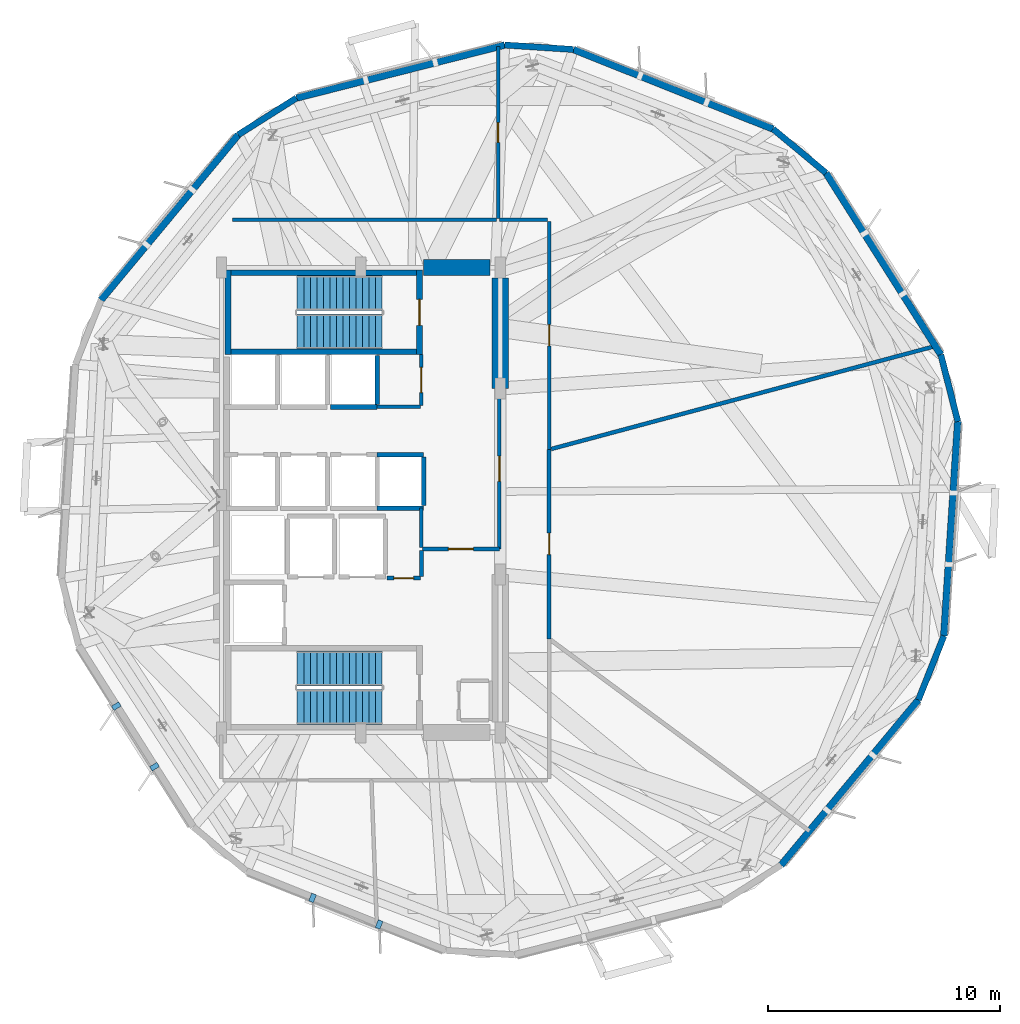
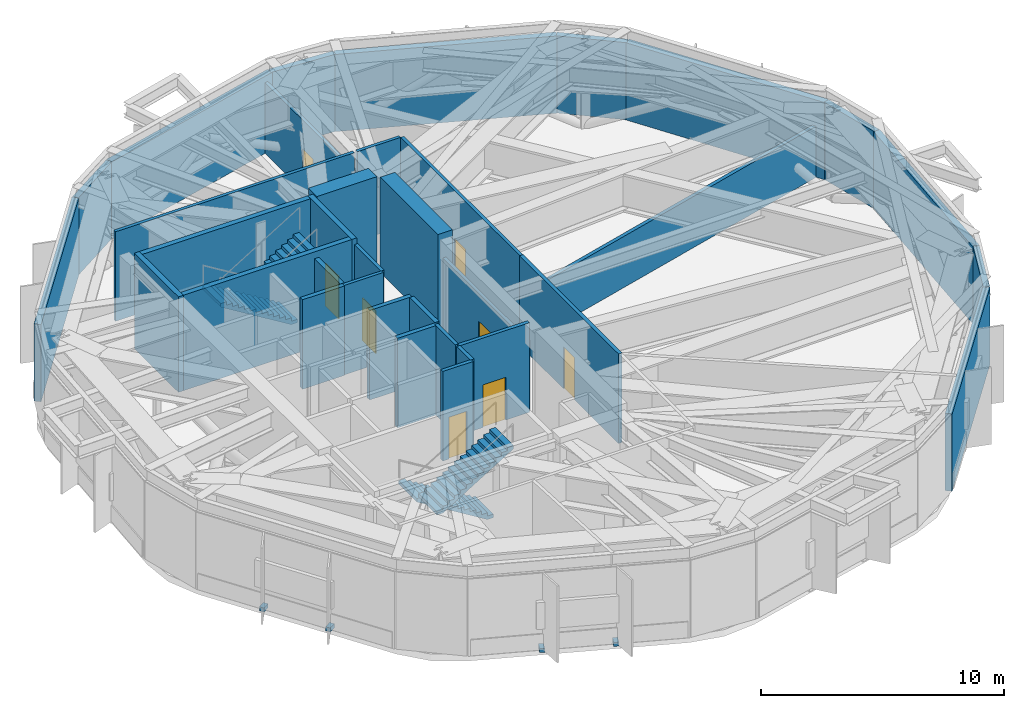
# One storey, part 9 of 13: 35 walls, 8 doors, 4 discrete accessories, 4 stair flights, 8 openings, 2 elements without a shape of their own.
"""IFC4 building model written with IfcOpenShell, lengths in metres."""

from ifc_helpers import new_model, si_unit, direction, frame, frame_2d, origin, origin_2d, place, context, subcontext, project, spatial, polyline, rectangle, outline, extrude, material, layer, layer_set, type_object, element, fill, aggregate, save


model = new_model("IFC4")

# Units and contexts
model_context = context("Model", 3, precision=1e-05, world=origin(), true_north=direction((0.0, 1.0)))
body_context = subcontext(model_context, "Body", "Model", "MODEL_VIEW")
ifc_project = project(units=[si_unit("LENGTHUNIT", "METRE"), si_unit("AREAUNIT", "SQUARE_METRE"), si_unit("VOLUMEUNIT", "CUBIC_METRE"), si_unit("PLANEANGLEUNIT", "RADIAN"), si_unit("MASSUNIT", "GRAM", prefix="KILO")], contexts=[model_context])

# Site, building, storey
site_placement = place(None, origin())
site = spatial("IfcSite", under=ifc_project, at=site_placement, CompositionType="ELEMENT")
building_placement = place(site_placement, origin())
building = spatial("IfcBuilding", under=site, at=building_placement, Name="Soratama Intermodal Tower", CompositionType="ELEMENT")
storey_placement = place(building_placement, frame((0.0, 0.0, 82.60009765625)))
storey = spatial("IfcBuildingStorey", under=building, at=storey_placement, Name="L19", CompositionType="ELEMENT", Elevation=82.60009765625)

# Walls
ifc_material_1 = material(Name="Concrete f'c 42 MPa", Category="concrete")
ifc_layer_1 = layer(ifc_material_1, 0.27001953125)
ifc_layer_set_1 = layer_set([ifc_layer_1], Name="Concrete f'c 42 MPa")
wall_type_1 = type_object("IfcWallType", Name="EW-CRN-270", PredefinedType="SOLIDWALL", material=ifc_layer_set_1)
wall_1_placement = place(storey_placement, frame((58.617431640625, 39.0693359375, 0.0), z_axis=(0.0, 0.0, 1.0), x_axis=(-0.769198462911, 0.639009956617, 0.0)))
element("IfcWall", 1, at=wall_1_placement, inside=storey, type_object=wall_type_1, Name="L19 Corner Closure Wall 01", PredefinedType="SOLIDWALL", context=body_context, shape_type="SweptSolid", body=[
    extrude(rectangle(XDim=2.966796875, YDim=0.27001953125, at=frame_2d((1.4833984375, 0.0))), origin(), (0.0, 0.0, 1.0), 3.87890625),
])
for number, where, z_axis, x_axis, name in (
    (2, (47.746826171875, 44.386474609375, 0.0), (0.0, 0.0, 1.0), (-0.997889506798, 0.064934830587, 0.0), "L19 Corner Closure Wall 02"),
    (3, (35.8271484375, 42.298583984375, 0.0), (0.0, 0.0, 1.0), (-0.845459567391, -0.534039436659, 0.0), "L19 Corner Closure Wall 03"),
    (4, (62.5888671875, 16.396728515625, 0.0), (0.0, 0.0, 1.0), (0.369999752754, 0.929031852501, 0.0), "L19 Corner Closure Wall 09"),
    (5, (64.28662109375, 28.37841796875, 0.0), (0.0, 0.0, 1.0), (-0.246735492597, 0.969082863687, 0.0), "L19 Corner Closure Wall 10"),
):
    element("IfcWall", number, at=place(storey_placement, frame(where, z_axis=z_axis, x_axis=x_axis)), inside=storey, type_object=wall_type_1, Name=name, PredefinedType="SOLIDWALL", context=body_context, shape_type="SweptSolid", body=[
        extrude(rectangle(XDim=2.966552734375, YDim=0.27001953125, at=frame_2d((1.4833984375, 0.0))), origin(), (0.0, 0.0, 1.0), 3.87890625),
    ])
ifc_material_2 = material(Name="Concrete f'c 42 MPa", Category="concrete")
ifc_layer_2 = layer(ifc_material_2, 0.300048828125)
ifc_layer_set_2 = layer_set([ifc_layer_2], Name="Concrete f'c 42 MPa")
wall_type_2 = type_object("IfcWallType", Name="EW-STONE-300", PredefinedType="SOLIDWALL", material=ifc_layer_set_2)
wall_2_placement = place(storey_placement, frame((63.5546875, 31.253173828125, 0.0), z_axis=(0.0, 0.0, 1.0), x_axis=(-0.534049623652, 0.845453132632, 0.0)))
element("IfcWall", 6, at=wall_2_placement, inside=storey, type_object=wall_type_2, Name="L19 Plant Wall F01", PredefinedType="SOLIDWALL", context=body_context, shape_type="SweptSolid", body=[
    extrude(rectangle(XDim=9.244873046875, YDim=0.300048828125, at=frame_2d((4.62255859375, 0.0))), origin(), (0.0, 0.0, 1.0), 3.87890625),
])
for number, where, z_axis, x_axis, name in (
    (7, (56.33544921875, 40.965087890625, 0.0), (0.0, 0.0, 1.0), (-0.929000278628, 0.370079021709, 0.0), "L19 Plant Wall F02"),
    (8, (44.78662109375, 44.5791015625, 0.0), (0.0, 0.0, 1.0), (-0.969099125139, -0.246671615018, 0.0), "L19 Plant Wall F03"),
    (9, (33.319091796875, 40.71435546875, 0.0), (0.0, 0.0, 1.0), (-0.639038202988, -0.769174996423, 0.0), "L19 Plant Wall F04"),
    (10, (56.680908203125, 9.28564453125, 0.0), (0.0, 0.0, 1.0), (0.639038202988, 0.769174996423, 0.0), "L19 Plant Wall F09"),
    (11, (63.6865234375, 19.15283203125, 0.0), (0.0, 0.0, 1.0), (0.064909928811, 0.997891126898, 0.0), "L19 Plant Wall F10"),
):
    element("IfcWall", number, at=place(storey_placement, frame(where, z_axis=z_axis, x_axis=x_axis)), inside=storey, type_object=wall_type_2, Name=name, PredefinedType="SOLIDWALL", context=body_context, shape_type="SweptSolid", body=[
        extrude(rectangle(XDim=9.2451171875, YDim=0.300048828125, at=frame_2d((4.62255859375, 0.0))), origin(), (0.0, 0.0, 1.0), 3.87890625),
    ])

# Wall, opening, door
ifc_material_3 = material(Name="Fire-rated gypsum stud partition", Category="concrete")
ifc_layer_3 = layer(ifc_material_3, 0.14990234375)
ifc_layer_set_3 = layer_set([ifc_layer_3], Name="Fire-rated gypsum stud partition")
wall_type_3 = type_object("IfcWallType", Name="IW-PART-R150", PredefinedType="PARTITIONING", material=ifc_layer_set_3)
wall_3_placement = place(storey_placement, frame((46.699951171875, 36.97998046875, 0.0), z_axis=(0.0, 0.0, 1.0), x_axis=(0.0, -1.0, 0.0)))
wall_3 = element("IfcWall", 12, at=wall_3_placement, inside=storey, type_object=wall_type_3, Name="L19 Partition W-L19-TP003", PredefinedType="PARTITIONING", context=body_context, shape_type="SweptSolid", body=[
    extrude(rectangle(XDim=9.81005859375, YDim=0.14990234375, at=frame_2d((4.905029296875, 0.0))), origin(), (0.0, 0.0, 1.0), 4.5),
])
opening_1_placement = place(wall_3_placement, frame((4.429931640625, 0.0, 0.0)))
opening_1 = element("IfcOpeningElement", 13, at=opening_1_placement, cuts=wall_3, Name="Opening ID-6", PredefinedType="OPENING", context=body_context, shape_type="SweptSolid", body=[
    extrude(rectangle(XDim=0.919921875, YDim=2.1201171875, at=frame_2d((0.4599609375, 1.06005859375))), frame((0.0, 0.0849609375, 0.0), z_axis=(0.0, -1.0, 0.0), x_axis=(1.0, 0.0, 0.0)), (0.0, 0.0, 1.0), 0.169921875),
])
ifc_material_4 = material(Name="Solid hardwood acoustic door", Category="wood")
door_type_1 = type_object("IfcDoorType", Name="DR-ROOM-920", OperationType="NOTDEFINED", PredefinedType="DOOR", material=ifc_material_4)
door_1_placement = place(opening_1_placement, origin())
door_1 = element("IfcDoor", 14, at=door_1_placement, inside=storey, type_object=door_type_1, Name="L19 Door D-L19-TP001", OperationType="SINGLE_SWING_RIGHT", OverallHeight=2.1201171875, OverallWidth=0.919921875, PredefinedType="DOOR", context=body_context, shape_type="SweptSolid", body=[
    extrude(rectangle(XDim=0.919921875, YDim=2.1201171875, at=frame_2d((0.4599609375, 1.06005859375))), frame((0.0, 0.02490234375, 0.0), z_axis=(0.0, -1.0, 0.0), x_axis=(1.0, 0.0, 0.0)), (0.0, 0.0, 1.0), 0.050048828125),
])
fill(opening_1, door_1)

wall_4_placement = place(storey_placement, frame((44.5, 44.506103515625, 0.0), z_axis=(0.0, 0.0, 1.0), x_axis=(0.0, -1.0, 0.0)))
wall_4 = element("IfcWall", 15, at=wall_4_placement, inside=storey, type_object=wall_type_3, Name="L19 Partition W-L19-TP006", PredefinedType="PARTITIONING", context=body_context, shape_type="SweptSolid", body=[
    extrude(rectangle(XDim=7.385986328125, YDim=0.14990234375, at=frame_2d((3.69287109375, 0.0))), origin(), (0.0, 0.0, 1.0), 3.55078125),
])
opening_2_placement = place(wall_4_placement, frame((3.26806640625, 0.0, 0.0)))
opening_2 = element("IfcOpeningElement", 16, at=opening_2_placement, cuts=wall_4, Name="Opening ID-4", PredefinedType="OPENING", context=body_context, shape_type="SweptSolid", body=[
    extrude(rectangle(XDim=0.85009765625, YDim=2.10009765625, at=frame_2d((0.425048828125, 1.050048828125))), frame((0.0, 0.0849609375, 0.0), z_axis=(0.0, -1.0, 0.0), x_axis=(1.0, 0.0, 0.0)), (0.0, 0.0, 1.0), 0.169921875),
])
ifc_material_5 = material(Name="Solid hardwood acoustic door", Category="wood")
door_type_2 = type_object("IfcDoorType", Name="DR-BATH-850", OperationType="NOTDEFINED", PredefinedType="DOOR", material=ifc_material_5)
door_2_placement = place(opening_2_placement, origin())
door_2 = element("IfcDoor", 17, at=door_2_placement, inside=storey, type_object=door_type_2, Name="L19 Door D-L19-TP009", OperationType="SINGLE_SWING_LEFT", OverallHeight=2.10009765625, OverallWidth=0.85009765625, PredefinedType="DOOR", context=body_context, shape_type="SweptSolid", body=[
    extrude(rectangle(XDim=0.85009765625, YDim=2.10009765625, at=frame_2d((0.425048828125, 1.050048828125))), frame((0.0, 0.02490234375, 0.0), z_axis=(0.0, -1.0, 0.0), x_axis=(1.0, 0.0, 0.0)), (0.0, 0.0, 1.0), 0.050048828125),
])
fill(opening_2, door_2)

wall_5_placement = place(storey_placement, frame((44.56005859375, 29.800048828125, 0.0), z_axis=(0.0, 0.0, 1.0), x_axis=(0.0, -1.0, 0.0)))
wall_5 = element("IfcWall", 18, at=wall_5_placement, inside=storey, type_object=wall_type_3, Name="L19 Partition W-L19-TP007", PredefinedType="PARTITIONING", context=body_context, shape_type="SweptSolid", body=[
    extrude(rectangle(XDim=6.91015625, YDim=0.14990234375, at=frame_2d((3.455078125, 0.0))), origin(), (0.0, 0.0, 1.0), 3.539794921875),
])
opening_3_placement = place(wall_5_placement, frame((2.9150390625, 0.0, 0.0)))
opening_3 = element("IfcOpeningElement", 19, at=opening_3_placement, cuts=wall_5, Name="Opening ID-1", PredefinedType="OPENING", context=body_context, shape_type="SweptSolid", body=[
    extrude(rectangle(XDim=1.080078125, YDim=2.14990234375, at=frame_2d((0.5400390625, 1.074951171875))), frame((0.0, 0.0849609375, 0.0), z_axis=(0.0, -1.0, 0.0), x_axis=(1.0, 0.0, 0.0)), (0.0, 0.0, 1.0), 0.169921875),
])
ifc_material_6 = material(Name="Solid hardwood acoustic door", Category="wood")
door_type_3 = type_object("IfcDoorType", Name="DR-LOB-FD60", OperationType="NOTDEFINED", PredefinedType="DOOR", material=ifc_material_6)
door_3_placement = place(opening_3_placement, origin())
door_3 = element("IfcDoor", 20, at=door_3_placement, inside=storey, type_object=door_type_3, Name="L19 Door D-L19-TP004", OperationType="SINGLE_SWING_LEFT", OverallHeight=2.14990234375, OverallWidth=1.080078125, PredefinedType="DOOR", context=body_context, shape_type="SweptSolid", body=[
    extrude(rectangle(XDim=1.080078125, YDim=2.14990234375, at=frame_2d((0.5400390625, 1.074951171875))), frame((0.0, 0.02490234375, 0.0), z_axis=(0.0, -1.0, 0.0), x_axis=(1.0, 0.0, 0.0)), (0.0, 0.0, 1.0), 0.050048828125),
])
fill(opening_3, door_3)

wall_6_placement = place(storey_placement, frame((41.199951171875, 29.070068359375, 0.0), z_axis=(0.0, 0.0, 1.0), x_axis=(0.0, 1.0, 0.0)))
wall_6 = element("IfcWall", 21, at=wall_6_placement, inside=storey, type_object=wall_type_3, Name="L19 Partition W-L19-TP012", PredefinedType="PARTITIONING", context=body_context, shape_type="SweptSolid", body=[
    extrude(rectangle(XDim=2.18994140625, YDim=0.14990234375, at=frame_2d((1.094970703125, 0.0))), origin(), (0.0, 0.0, 1.0), 4.5),
])
opening_4_placement = place(wall_6_placement, frame((0.554931640625, 0.0, 0.0)))
opening_4 = element("IfcOpeningElement", 22, at=opening_4_placement, cuts=wall_6, Name="Opening ID-1", PredefinedType="OPENING", context=body_context, shape_type="SweptSolid", body=[
    extrude(rectangle(XDim=1.080078125, YDim=2.14990234375, at=frame_2d((0.5400390625, 1.074951171875))), frame((0.0, 0.0849609375, 0.0), z_axis=(0.0, -1.0, 0.0), x_axis=(1.0, 0.0, 0.0)), (0.0, 0.0, 1.0), 0.169921875),
])
door_4_placement = place(opening_4_placement, origin())
door_4 = element("IfcDoor", 23, at=door_4_placement, inside=storey, type_object=door_type_3, Name="L19 Door D-L19-TP007", OperationType="SINGLE_SWING_RIGHT", OverallHeight=2.14990234375, OverallWidth=1.080078125, PredefinedType="DOOR", context=body_context, shape_type="SweptSolid", body=[
    extrude(rectangle(XDim=1.080078125, YDim=2.14990234375, at=frame_2d((0.5400390625, 1.074951171875))), frame((0.0, 0.02490234375, 0.0), z_axis=(0.0, -1.0, 0.0), x_axis=(1.0, 0.0, 0.0)), (0.0, 0.0, 1.0), 0.050048828125),
])
fill(opening_4, door_4)

# Walls
wall_7_placement = place(storey_placement, frame((44.570068359375, 37.050048828125, 0.0), z_axis=(0.0, 0.0, 1.0), x_axis=(1.0, 0.0, 0.0)))
element("IfcWall", 24, at=wall_7_placement, inside=storey, type_object=wall_type_3, Name="L19 Partition W-L19-TP013", PredefinedType="PARTITIONING", context=body_context, shape_type="SweptSolid", body=[
    extrude(rectangle(XDim=2.059814453125, YDim=0.14990234375, at=frame_2d((1.02978515625, 0.0))), origin(), (0.0, 0.0, 1.0), 4.5),
])
wall_8_placement = place(storey_placement, frame((39.300048828125, 29.010009765625, 0.0), z_axis=(0.0, 0.0, 1.0), x_axis=(1.0, 0.0, 0.0)))
element("IfcWall", 25, at=wall_8_placement, inside=storey, type_object=wall_type_3, Name="L19 Partition W-L19-TP015", PredefinedType="PARTITIONING", context=body_context, shape_type="SweptSolid", body=[
    extrude(rectangle(XDim=1.85986328125, YDim=0.14990234375, at=frame_2d((0.929931640625, 0.0))), origin(), (0.0, 0.0, 1.0), 4.5),
])
wall_9_placement = place(storey_placement, frame((41.199951171875, 22.9599609375, 0.0), z_axis=(0.0, 0.0, 1.0), x_axis=(0.0, 1.0, 0.0)))
element("IfcWall", 26, at=wall_9_placement, inside=storey, type_object=wall_type_3, Name="L19 Partition W-L19-TP016", PredefinedType="PARTITIONING", context=body_context, shape_type="SweptSolid", body=[
    extrude(rectangle(XDim=1.68994140625, YDim=0.14990234375, at=frame_2d((0.844970703125, 0.0))), origin(), (0.0, 0.0, 1.0), 4.5),
])
wall_10_placement = place(storey_placement, frame((33.070068359375, 37.050048828125, 0.0), z_axis=(0.0, 0.0, 1.0), x_axis=(1.0, 0.0, 0.0)))
element("IfcWall", 27, at=wall_10_placement, inside=storey, type_object=wall_type_3, Name="L19 Partition W-L19-TP019", PredefinedType="PARTITIONING", context=body_context, shape_type="SweptSolid", body=[
    extrude(rectangle(XDim=11.35986328125, YDim=0.14990234375, at=frame_2d((5.679931640625, 0.0))), origin(), (0.0, 0.0, 1.0), 4.5),
])
ifc_material_7 = material(Name="Fire-rated gypsum stud partition", Category="concrete")
ifc_layer_4 = layer(ifc_material_7, 0.169921875)
ifc_layer_set_4 = layer_set([ifc_layer_4], Name="Fire-rated gypsum stud partition")
wall_type_4 = type_object("IfcWallType", Name="IW-PART-R170", PredefinedType="PARTITIONING", material=ifc_layer_set_4)
wall_11_placement = place(storey_placement, frame((63.321044921875, 31.6240234375, 0.0), z_axis=(0.0, 0.0, 1.0), x_axis=(-0.965926722625, -0.258815699907, 0.0)))
element("IfcWall", 28, at=wall_11_placement, inside=storey, type_object=wall_type_4, Name="L19 Partition W-L19-TP001", PredefinedType="PARTITIONING", context=body_context, shape_type="SweptSolid", body=[
    extrude(rectangle(XDim=17.1162109375, YDim=0.169921875, at=frame_2d((8.55810546875, 0.0))), origin(), (0.0, 0.0, 1.0), 2.56982421875),
])

# Wall, opening, door
wall_12_placement = place(storey_placement, frame((46.699951171875, 27.169921875, 0.0), z_axis=(0.0, 0.0, 1.0), x_axis=(0.0, -1.0, 0.0)))
wall_12 = element("IfcWall", 29, at=wall_12_placement, inside=storey, type_object=wall_type_4, Name="L19 Partition W-L19-TP004", PredefinedType="PARTITIONING", context=body_context, shape_type="SweptSolid", body=[
    extrude(rectangle(XDim=8.14697265625, YDim=0.169921875, at=frame_2d((4.073486328125, 0.0))), origin(), (0.0, 0.0, 1.0), 4.5),
])
opening_5_placement = place(wall_12_placement, frame((3.59912109375, 0.0, 0.0)))
opening_5 = element("IfcOpeningElement", 30, at=opening_5_placement, cuts=wall_12, Name="Opening ID-6", PredefinedType="OPENING", context=body_context, shape_type="SweptSolid", body=[
    extrude(rectangle(XDim=0.919921875, YDim=2.1201171875, at=frame_2d((0.4599609375, 1.06005859375))), frame((0.0, 0.094970703125, 0.0), z_axis=(0.0, -1.0, 0.0), x_axis=(1.0, 0.0, 0.0)), (0.0, 0.0, 1.0), 0.18994140625),
])
door_5_placement = place(opening_5_placement, origin())
door_5 = element("IfcDoor", 31, at=door_5_placement, inside=storey, type_object=door_type_1, Name="L19 Door D-L19-TP002", OperationType="SINGLE_SWING_LEFT", OverallHeight=2.1201171875, OverallWidth=0.919921875, PredefinedType="DOOR", context=body_context, shape_type="SweptSolid", body=[
    extrude(rectangle(XDim=0.919921875, YDim=2.1201171875, at=frame_2d((0.4599609375, 1.06005859375))), frame((0.0, 0.02490234375, 0.0), z_axis=(0.0, -1.0, 0.0), x_axis=(1.0, 0.0, 0.0)), (0.0, 0.0, 1.0), 0.050048828125),
])
fill(opening_5, door_5)

wall_13_placement = place(storey_placement, frame((41.239990234375, 22.889892578125, 0.0), z_axis=(0.0, 0.0, 1.0), x_axis=(1.0, 0.0, 0.0)))
wall_13 = element("IfcWall", 32, at=wall_13_placement, inside=storey, type_object=wall_type_4, Name="L19 Partition W-L19-TP011", PredefinedType="PARTITIONING", context=body_context, shape_type="SweptSolid", body=[
    extrude(rectangle(XDim=3.320068359375, YDim=0.169921875, at=frame_2d((1.66015625, 0.0))), origin(), (0.0, 0.0, 1.0), 4.5),
])
opening_6_placement = place(wall_13_placement, frame((1.1201171875, 0.0, 0.0)))
opening_6 = element("IfcOpeningElement", 33, at=opening_6_placement, cuts=wall_13, Name="Opening ID-0", PredefinedType="OPENING", context=body_context, shape_type="SweptSolid", body=[
    extrude(rectangle(XDim=1.080078125, YDim=2.14990234375, at=frame_2d((0.5400390625, 1.074951171875))), frame((0.0, 0.094970703125, 0.0), z_axis=(0.0, -1.0, 0.0), x_axis=(1.0, 0.0, 0.0)), (0.0, 0.0, 1.0), 0.18994140625),
])
ifc_material_8 = material(Name="Solid hardwood acoustic door", Category="wood")
door_type_4 = type_object("IfcDoorType", Name="DR-LOB-FD90", OperationType="NOTDEFINED", PredefinedType="DOOR", material=ifc_material_8)
door_6_placement = place(opening_6_placement, origin())
door_6 = element("IfcDoor", 34, at=door_6_placement, inside=storey, type_object=door_type_4, Name="L19 Door D-L19-TP006", OperationType="SINGLE_SWING_LEFT", OverallHeight=2.14990234375, OverallWidth=1.080078125, PredefinedType="DOOR", context=body_context, shape_type="SweptSolid", body=[
    extrude(rectangle(XDim=1.080078125, YDim=2.14990234375, at=frame_2d((0.5400390625, 1.074951171875))), frame((0.0, 0.02490234375, 0.0), z_axis=(0.0, -1.0, 0.0), x_axis=(1.0, 0.0, 0.0)), (0.0, 0.0, 1.0), 0.050048828125),
])
fill(opening_6, door_6)

wall_14_placement = place(storey_placement, frame((39.719970703125, 21.639892578125, 0.0), z_axis=(0.0, 0.0, 1.0), x_axis=(1.0, 0.0, 0.0)))
wall_14 = element("IfcWall", 35, at=wall_14_placement, inside=storey, type_object=wall_type_4, Name="L19 Partition W-L19-TP017", PredefinedType="PARTITIONING", context=body_context, shape_type="SweptSolid", body=[
    extrude(rectangle(XDim=1.43994140625, YDim=0.169921875, at=frame_2d((0.719970703125, 0.0))), origin(), (0.0, 0.0, 1.0), 4.5),
])
opening_7_placement = place(wall_14_placement, frame((0.294921875, 0.0, 0.0)))
opening_7 = element("IfcOpeningElement", 36, at=opening_7_placement, cuts=wall_14, Name="Opening ID-4", PredefinedType="OPENING", context=body_context, shape_type="SweptSolid", body=[
    extrude(rectangle(XDim=0.85009765625, YDim=2.10009765625, at=frame_2d((0.425048828125, 1.050048828125))), frame((0.0, 0.094970703125, 0.0), z_axis=(0.0, -1.0, 0.0), x_axis=(1.0, 0.0, 0.0)), (0.0, 0.0, 1.0), 0.18994140625),
])
door_7_placement = place(opening_7_placement, origin())
door_7 = element("IfcDoor", 37, at=door_7_placement, inside=storey, type_object=door_type_2, Name="L19 Door D-L19-TP008", OperationType="SINGLE_SWING_LEFT", OverallHeight=2.10009765625, OverallWidth=0.85009765625, PredefinedType="DOOR", context=body_context, shape_type="SweptSolid", body=[
    extrude(rectangle(XDim=0.85009765625, YDim=2.10009765625, at=frame_2d((0.425048828125, 1.050048828125))), frame((0.0, 0.02490234375, 0.0), z_axis=(0.0, -1.0, 0.0), x_axis=(1.0, 0.0, 0.0)), (0.0, 0.0, 1.0), 0.050048828125),
])
fill(opening_7, door_7)

# Walls
wall_15_placement = place(storey_placement, frame((41.199951171875, 21.699951171875, 0.0), z_axis=(0.0, 0.0, 1.0), x_axis=(0.0, 1.0, 0.0)))
element("IfcWall", 38, at=wall_15_placement, inside=storey, type_object=wall_type_4, Name="L19 Partition W-L19-TP018", PredefinedType="PARTITIONING", context=body_context, shape_type="SweptSolid", body=[
    extrude(rectangle(XDim=1.1201171875, YDim=0.169921875, at=frame_2d((0.56005859375, 0.0))), origin(), (0.0, 0.0, 1.0), 4.5),
])
ifc_material_9 = material(Name="Concrete f'c 42 MPa", Category="concrete")
ifc_layer_5 = layer(ifc_material_9, 0.199951171875)
ifc_layer_set_5 = layer_set([ifc_layer_5], Name="Concrete f'c 42 MPa")
wall_type_5 = type_object("IfcWallType", Name="IW-SHAFT-200", PredefinedType="SOLIDWALL", material=ifc_layer_set_5)
for number, where, z_axis, x_axis, name in (
    (39, (39.300048828125, 24.64990234375, 0.0), (0.0, 0.0, 1.0), (1.0, 0.0, 0.0), "L19 PL-M1 Hoistway Wall S"),
    (40, (39.300048828125, 26.949951171875, 0.0), (0.0, 0.0, 1.0), (1.0, 0.0, 0.0), "L19 PL-M1 Hoistway Wall N"),
):
    element("IfcWall", number, at=place(storey_placement, frame(where, z_axis=z_axis, x_axis=x_axis)), inside=storey, type_object=wall_type_5, Name=name, PredefinedType="SOLIDWALL", context=body_context, shape_type="SweptSolid", body=[
        extrude(rectangle(XDim=2.0, YDim=0.199951171875, at=frame_2d((1.0, 0.0))), origin(), (0.0, 0.0, 1.0), 4.5),
    ])
wall_16_placement = place(storey_placement, frame((41.300048828125, 24.760009765625, 0.0), z_axis=(0.0, 0.0, 1.0), x_axis=(0.0, 1.0, 0.0)))
element("IfcWall", 41, at=wall_16_placement, inside=storey, type_object=wall_type_5, Name="L19 PL-M1 Hoistway Wall E", PredefinedType="SOLIDWALL", context=body_context, shape_type="SweptSolid", body=[
    extrude(rectangle(XDim=2.080078125, YDim=0.199951171875, at=frame_2d((1.0400390625, 0.0))), origin(), (0.0, 0.0, 1.0), 4.5),
])
wall_17_placement = place(storey_placement, frame((37.300048828125, 29.0, 0.0), z_axis=(0.0, 0.0, 1.0), x_axis=(1.0, 0.0, 0.0)))
element("IfcWall", 42, at=wall_17_placement, inside=storey, type_object=wall_type_5, Name="L19 PL-H2 Hoistway Wall S", PredefinedType="SOLIDWALL", context=body_context, shape_type="SweptSolid", body=[
    extrude(rectangle(XDim=2.0, YDim=0.199951171875, at=frame_2d((1.0, 0.0))), origin(), (0.0, 0.0, 1.0), 4.5),
])
wall_18_placement = place(storey_placement, frame((39.300048828125, 29.110107421875, 0.0), z_axis=(0.0, 0.0, 1.0), x_axis=(0.0, 1.0, 0.0)))
element("IfcWall", 43, at=wall_18_placement, inside=storey, type_object=wall_type_5, Name="L19 PL-H2 Hoistway Wall E", PredefinedType="SOLIDWALL", context=body_context, shape_type="SweptSolid", body=[
    extrude(rectangle(XDim=2.099853515625, YDim=0.199951171875, at=frame_2d((1.0498046875, 0.0))), origin(), (0.0, 0.0, 1.0), 4.5),
])
ifc_material_10 = material(Name="Concrete f'c 56 MPa", Category="concrete")
ifc_layer_6 = layer(ifc_material_10, 0.699951171875)
ifc_layer_set_6 = layer_set([ifc_layer_6], Name="Concrete f'c 56 MPa")
wall_type_6 = type_object("IfcWallType", Name="SW-CORE-700", PredefinedType="SHEAR", material=ifc_layer_set_6)
wall_19_placement = place(storey_placement, frame((41.300048828125, 35.0, 0.0), z_axis=(0.0, 0.0, 1.0), x_axis=(1.0, 0.0, 0.0)))
element("IfcWall", 44, at=wall_19_placement, inside=storey, type_object=wall_type_6, Name="L19 Core Shear Wall CW-NE", PredefinedType="SHEAR", context=body_context, shape_type="SweptSolid", body=[
    extrude(rectangle(XDim=2.849853515625, YDim=0.699951171875, at=frame_2d((1.4248046875, 0.0))), origin(), (0.0, 0.0, 1.0), 4.7998046875),
])
wall_20_placement = place(storey_placement, frame((44.60009765625, 29.800048828125, 0.0), z_axis=(0.0, 0.0, 1.0), x_axis=(0.0, 1.0, 0.0)))
element("IfcWall", 45, at=wall_20_placement, inside=storey, type_object=wall_type_6, Name="L19 Core Shear Wall CW-EN", PredefinedType="SHEAR", context=body_context, shape_type="SweptSolid", body=[
    extrude(rectangle(XDim=4.75, YDim=0.699951171875, at=frame_2d((2.375, 0.0))), origin(), (0.0, 0.0, 1.0), 4.7998046875),
])
ifc_material_11 = material(Name="Concrete f'c 56 MPa", Category="concrete")
ifc_layer_7 = layer(ifc_material_11, 0.239990234375)
ifc_layer_set_7 = layer_set([ifc_layer_7], Name="Concrete f'c 56 MPa")
wall_type_7 = type_object("IfcWallType", Name="SW-STAIR-240", PredefinedType="SHEAR", material=ifc_layer_set_7)
wall_21_placement = place(storey_placement, frame((32.8798828125, 31.260009765625, 0.0), z_axis=(0.0, 0.0, 1.0), x_axis=(0.0, 1.0, 0.0)))
element("IfcWall", 46, at=wall_21_placement, inside=storey, type_object=wall_type_7, Name="L19 ST-2 Shaft Shear Wall W", PredefinedType="SHEAR", context=body_context, shape_type="SweptSolid", body=[
    extrude(rectangle(XDim=3.6298828125, YDim=0.239990234375, at=frame_2d((1.81494140625, 0.0))), origin(), (0.0, 0.0, 1.0), 4.7998046875),
])

# Wall, opening, door
wall_22_placement = place(storey_placement, frame((41.1201171875, 31.260009765625, 0.0), z_axis=(0.0, 0.0, 1.0), x_axis=(0.0, 1.0, 0.0)))
wall_22 = element("IfcWall", 47, at=wall_22_placement, inside=storey, type_object=wall_type_7, Name="L19 ST-2 Shaft Shear Wall E", PredefinedType="SHEAR", context=body_context, shape_type="SweptSolid", body=[
    extrude(rectangle(XDim=3.6298828125, YDim=0.239990234375, at=frame_2d((1.81494140625, 0.0))), origin(), (0.0, 0.0, 1.0), 4.7998046875),
])
opening_8_placement = place(wall_22_placement, frame((1.2548828125, 0.0, 0.0)))
opening_8 = element("IfcOpeningElement", 48, at=opening_8_placement, cuts=wall_22, Name="Opening SD-1", PredefinedType="OPENING", context=body_context, shape_type="SweptSolid", body=[
    extrude(rectangle(XDim=1.1201171875, YDim=2.14990234375, at=frame_2d((0.56005859375, 1.074951171875))), frame((0.0, 0.1298828125, 0.0), z_axis=(0.0, -1.0, 0.0), x_axis=(1.0, 0.0, 0.0)), (0.0, 0.0, 1.0), 0.260009765625),
])
ifc_material_12 = material(Name="Steel fire door", Category="steel")
door_type_5 = type_object("IfcDoorType", Name="DR-STAIR-FD90", OperationType="NOTDEFINED", PredefinedType="DOOR", material=ifc_material_12)
door_8_placement = place(opening_8_placement, origin())
door_8 = element("IfcDoor", 49, at=door_8_placement, inside=storey, type_object=door_type_5, Name="L19 ST-2 Exit Stair Door", OperationType="SINGLE_SWING_RIGHT", OverallHeight=2.14990234375, OverallWidth=1.1201171875, PredefinedType="DOOR", context=body_context, shape_type="SweptSolid", body=[
    extrude(rectangle(XDim=1.1201171875, YDim=2.14990234375, at=frame_2d((0.56005859375, 1.074951171875))), frame((0.0, 0.02490234375, 0.0), z_axis=(0.0, -1.0, 0.0), x_axis=(1.0, 0.0, 0.0)), (0.0, 0.0, 1.0), 0.050048828125),
])
fill(opening_8, door_8)

# Walls
for number, where, z_axis, x_axis, name in (
    (50, (33.0, 31.3798828125, 0.0), (0.0, 0.0, 1.0), (1.0, 0.0, 0.0), "L19 ST-2 Shaft Shear Wall S"),
    (51, (33.0, 34.77001953125, 0.0), (0.0, 0.0, 1.0), (1.0, 0.0, 0.0), "L19 ST-2 Shaft Shear Wall N"),
):
    element("IfcWall", number, at=place(storey_placement, frame(where, z_axis=z_axis, x_axis=x_axis)), inside=storey, type_object=wall_type_7, Name=name, PredefinedType="SHEAR", context=body_context, shape_type="SweptSolid", body=[
        extrude(rectangle(XDim=8.0, YDim=0.239990234375, at=frame_2d((4.0, 0.0))), origin(), (0.0, 0.0, 1.0), 4.7998046875),
    ])

# Stair, stair flights
ifc_material_13 = material(Name="Concrete f'c 42 MPa", Category="concrete")
stair_type = type_object("IfcStairType", Name="ST-CORE-DOGLEG", PredefinedType="HALF_TURN_STAIR", material=ifc_material_13)
stair_1_placement = place(storey_placement, origin())
stair_1 = element("IfcStair", 52, at=stair_1_placement, inside=storey, type_object=stair_type, Name="L19 ST-1", PredefinedType="HALF_TURN_STAIR")
ifc_material_14 = material(Name="Precast concrete f'c 40 MPa", Category="concrete")
ifc_layer_8 = layer(ifc_material_14, 0.199951171875)
ifc_layer_set_8 = layer_set([ifc_layer_8], Name="Precast concrete f'c 40 MPa")
stair_flight_type = type_object("IfcStairFlightType", Name="SF-FLIGHT-RC", PredefinedType="STRAIGHT", material=ifc_layer_set_8)
stair_flight_1_placement = place(storey_placement, frame((39.5, 17.75, 0.0), z_axis=(0.0, 0.0, 1.0), x_axis=(-1.0, 0.0, 0.0)))
stair_flight_1 = element("IfcStairFlight", 53, at=stair_flight_1_placement, type_object=stair_flight_type, Name="ST-1 flight 1", NumberOfRisers=14, NumberOfTreads=13, PredefinedType="STRAIGHT", RiserHeight=0.171428571, TreadLength=0.28, context=body_context, shape_type="SweptSolid", body=[
    extrude(outline(polyline([(0.0, 0.0), (0.0, 0.17138671875), (0.280029296875, 0.17138671875), (0.280029296875, 0.3427734375), (0.56005859375, 0.3427734375), (0.56005859375, 0.514404296875), (0.840087890625, 0.514404296875), (0.840087890625, 0.685791015625), (1.1201171875, 0.685791015625), (1.1201171875, 0.857177734375), (1.39990234375, 0.857177734375), (1.39990234375, 1.028564453125), (1.679931640625, 1.028564453125), (1.679931640625, 1.199951171875), (1.9599609375, 1.199951171875), (1.9599609375, 1.371337890625), (2.239990234375, 1.371337890625), (2.239990234375, 1.54296875), (2.52001953125, 1.54296875), (2.52001953125, 1.71435546875), (2.800048828125, 1.71435546875), (2.800048828125, 1.8857421875), (3.080078125, 1.8857421875), (3.080078125, 2.05712890625), (3.360107421875, 2.05712890625), (3.360107421875, 2.228515625), (3.639892578125, 2.228515625), (3.639892578125, 2.39990234375), (3.639892578125, 2.052734375), (0.287109375, 0.0), (0.0, 0.0)])), frame((0.0, 0.75, 0.0), z_axis=(0.0, -1.0, 0.0), x_axis=(1.0, 0.0, 0.0)), (0.0, 0.0, 1.0), 1.5),
])
stair_flight_2_placement = place(storey_placement, frame((35.860107421875, 16.10009765625, 2.39990234375), z_axis=(0.0, 0.0, 1.0), x_axis=(1.0, 0.0, 0.0)))
stair_flight_2 = element("IfcStairFlight", 54, at=stair_flight_2_placement, type_object=stair_flight_type, Name="ST-1 flight 2", NumberOfRisers=14, NumberOfTreads=13, PredefinedType="STRAIGHT", RiserHeight=0.171428571, TreadLength=0.28, context=body_context, shape_type="SweptSolid", body=[
    extrude(outline(polyline([(0.0, 0.0), (0.0, 0.17138671875), (0.280029296875, 0.17138671875), (0.280029296875, 0.3427734375), (0.56005859375, 0.3427734375), (0.56005859375, 0.514404296875), (0.840087890625, 0.514404296875), (0.840087890625, 0.685791015625), (1.1201171875, 0.685791015625), (1.1201171875, 0.857177734375), (1.39990234375, 0.857177734375), (1.39990234375, 1.028564453125), (1.679931640625, 1.028564453125), (1.679931640625, 1.199951171875), (1.9599609375, 1.199951171875), (1.9599609375, 1.371337890625), (2.239990234375, 1.371337890625), (2.239990234375, 1.54296875), (2.52001953125, 1.54296875), (2.52001953125, 1.71435546875), (2.800048828125, 1.71435546875), (2.800048828125, 1.8857421875), (3.080078125, 1.8857421875), (3.080078125, 2.05712890625), (3.360107421875, 2.05712890625), (3.360107421875, 2.228515625), (3.639892578125, 2.228515625), (3.639892578125, 2.39990234375), (3.639892578125, 2.052734375), (0.287109375, 0.0), (0.0, 0.0)])), frame((0.0, 0.75, 0.0), z_axis=(0.0, -1.0, 0.0), x_axis=(1.0, 0.0, 0.0)), (0.0, 0.0, 1.0), 1.5),
])
aggregate(stair_1, [stair_flight_1, stair_flight_2])

stair_2_placement = place(storey_placement, origin())
stair_2 = element("IfcStair", 55, at=stair_2_placement, inside=storey, type_object=stair_type, Name="L19 ST-2", PredefinedType="HALF_TURN_STAIR")
stair_flight_3_placement = place(storey_placement, frame((39.5, 33.89990234375, 0.0), z_axis=(0.0, 0.0, 1.0), x_axis=(-1.0, 0.0, 0.0)))
stair_flight_3 = element("IfcStairFlight", 56, at=stair_flight_3_placement, type_object=stair_flight_type, Name="ST-2 flight 1", NumberOfRisers=14, NumberOfTreads=13, PredefinedType="STRAIGHT", RiserHeight=0.171428571, TreadLength=0.28, context=body_context, shape_type="SweptSolid", body=[
    extrude(outline(polyline([(0.0, 0.0), (0.0, 0.17138671875), (0.280029296875, 0.17138671875), (0.280029296875, 0.3427734375), (0.56005859375, 0.3427734375), (0.56005859375, 0.514404296875), (0.840087890625, 0.514404296875), (0.840087890625, 0.685791015625), (1.1201171875, 0.685791015625), (1.1201171875, 0.857177734375), (1.39990234375, 0.857177734375), (1.39990234375, 1.028564453125), (1.679931640625, 1.028564453125), (1.679931640625, 1.199951171875), (1.9599609375, 1.199951171875), (1.9599609375, 1.371337890625), (2.239990234375, 1.371337890625), (2.239990234375, 1.54296875), (2.52001953125, 1.54296875), (2.52001953125, 1.71435546875), (2.800048828125, 1.71435546875), (2.800048828125, 1.8857421875), (3.080078125, 1.8857421875), (3.080078125, 2.05712890625), (3.360107421875, 2.05712890625), (3.360107421875, 2.228515625), (3.639892578125, 2.228515625), (3.639892578125, 2.39990234375), (3.639892578125, 2.052734375), (0.287109375, 0.0), (0.0, 0.0)])), frame((0.0, 0.75, 0.0), z_axis=(0.0, -1.0, 0.0), x_axis=(1.0, 0.0, 0.0)), (0.0, 0.0, 1.0), 1.5),
])
stair_flight_4_placement = place(storey_placement, frame((35.860107421875, 32.25, 2.39990234375), z_axis=(0.0, 0.0, 1.0), x_axis=(1.0, 0.0, 0.0)))
stair_flight_4 = element("IfcStairFlight", 57, at=stair_flight_4_placement, type_object=stair_flight_type, Name="ST-2 flight 2", NumberOfRisers=14, NumberOfTreads=13, PredefinedType="STRAIGHT", RiserHeight=0.171428571, TreadLength=0.28, context=body_context, shape_type="SweptSolid", body=[
    extrude(outline(polyline([(0.0, 0.0), (0.0, 0.17138671875), (0.280029296875, 0.17138671875), (0.280029296875, 0.3427734375), (0.56005859375, 0.3427734375), (0.56005859375, 0.514404296875), (0.840087890625, 0.514404296875), (0.840087890625, 0.685791015625), (1.1201171875, 0.685791015625), (1.1201171875, 0.857177734375), (1.39990234375, 0.857177734375), (1.39990234375, 1.028564453125), (1.679931640625, 1.028564453125), (1.679931640625, 1.199951171875), (1.9599609375, 1.199951171875), (1.9599609375, 1.371337890625), (2.239990234375, 1.371337890625), (2.239990234375, 1.54296875), (2.52001953125, 1.54296875), (2.52001953125, 1.71435546875), (2.800048828125, 1.71435546875), (2.800048828125, 1.8857421875), (3.080078125, 1.8857421875), (3.080078125, 2.05712890625), (3.360107421875, 2.05712890625), (3.360107421875, 2.228515625), (3.639892578125, 2.228515625), (3.639892578125, 2.39990234375), (3.639892578125, 2.052734375), (0.287109375, 0.0), (0.0, 0.0)])), frame((0.0, 0.75, 0.0), z_axis=(0.0, -1.0, 0.0), x_axis=(1.0, 0.0, 0.0)), (0.0, 0.0, 1.0), 1.5),
])
aggregate(stair_2, [stair_flight_3, stair_flight_4])

# Discrete accessories
ifc_material_15 = material(Name="Structural steel ASTM A992 Grade 50", Category="steel")
discrete_accessory_type = type_object("IfcDiscreteAccessoryType", Name="AC-FIN-BRACKET", PredefinedType="BRACKET", material=ifc_material_15)
for number, where, z_axis, x_axis, name in (
    (58, (28.07421875, 16.130615234375, -0.080078125), (0.0, 0.0, 1.0), (-0.845448305879, -0.534057264801, 0.0), "L19 Fin Bracket F06-1"),
    (59, (29.719970703125, 13.525390625, -0.080078125), (0.0, 0.0, 1.0), (-0.845448305879, -0.534057264801, 0.0), "L19 Fin Bracket F06-2"),
    (60, (36.52001953125, 7.875732421875, -0.080078125), (0.0, 0.0, 1.0), (-0.370071063192, -0.929003448964, 0.0), "L19 Fin Bracket F07-1"),
    (61, (39.3828125, 6.7353515625, -0.080078125), (0.0, 0.0, 1.0), (-0.370071063192, -0.929003448964, 0.0), "L19 Fin Bracket F07-2"),
):
    element("IfcDiscreteAccessory", number, at=place(storey_placement, frame(where, z_axis=z_axis, x_axis=x_axis)), inside=storey, type_object=discrete_accessory_type, Name=name, PredefinedType="BRACKET", context=body_context, shape_type="SweptSolid", body=[
        extrude(rectangle(XDim=0.360107421875, YDim=0.219970703125, at=origin_2d()), origin(), (0.0, 0.0, 1.0), 0.199951171875),
    ])

save(model, "model.ifc")
